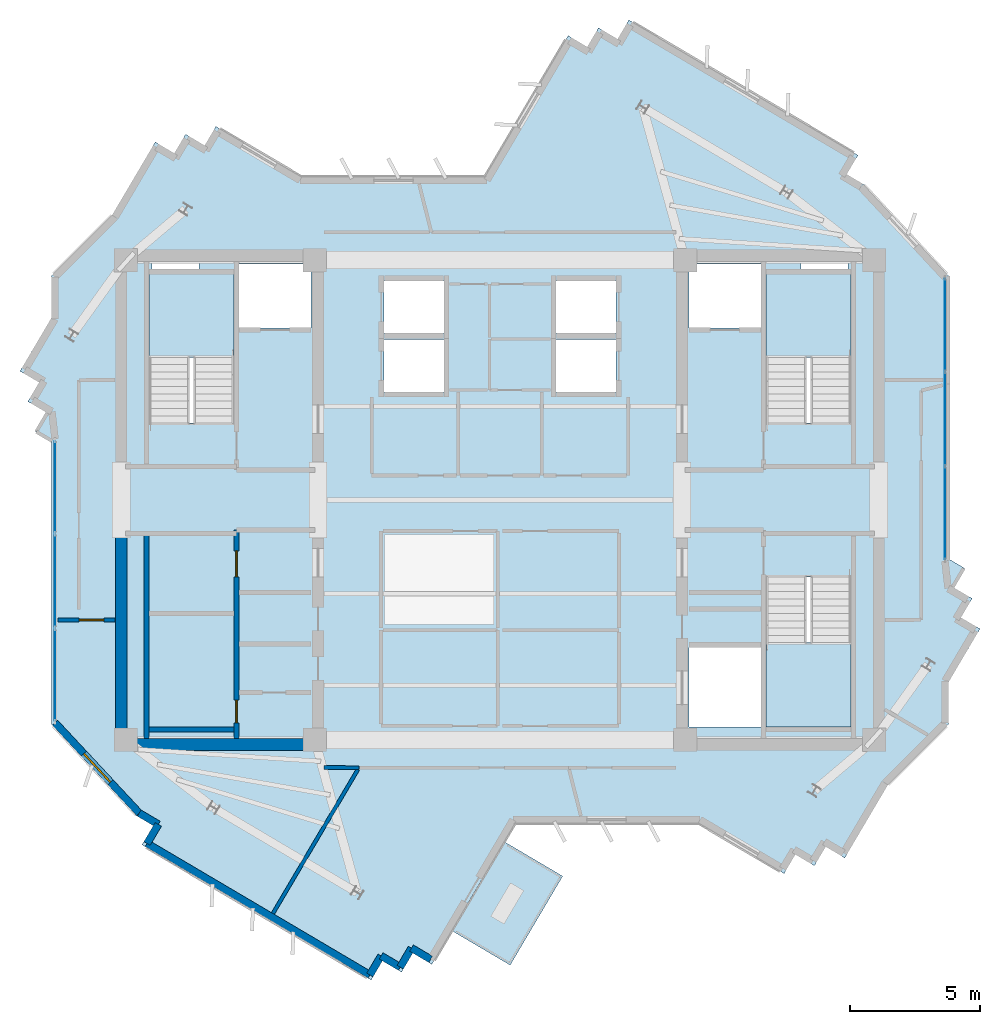
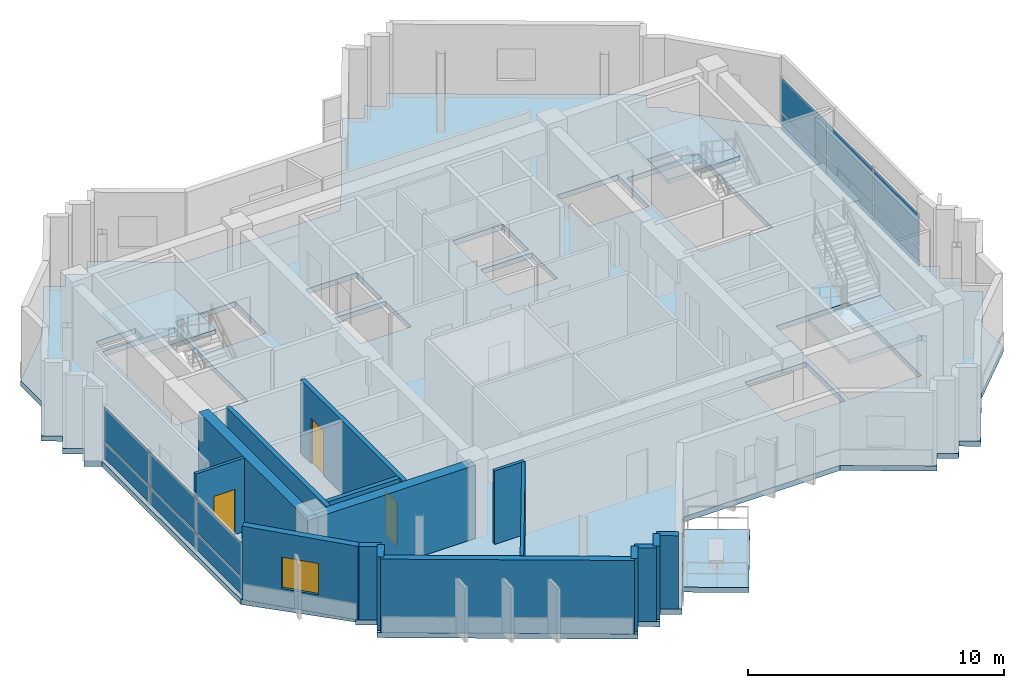
# One storey, part 3 of 10: 16 walls, 12 plates, 5 slabs, 3 doors, 1 window, 4 openings, 5 elements without a shape of their own.
"""IFC4 building model written with IfcOpenShell, lengths in metres."""

from ifc_helpers import new_model, si_unit, direction, frame, frame_2d, origin, origin_2d, place, context, subcontext, project, spatial, polyline, rectangle, outline, extrude, source, transform, mapped, material, layer, layer_set, type_object, element, fill, aggregate, save


model = new_model("IFC4")

# Units and contexts
model_context = context("Model", 3, precision=1e-05, world=origin(), true_north=direction((0.0, 1.0)))
body_context = subcontext(model_context, "Body", "Model", "MODEL_VIEW")
ifc_project = project(units=[si_unit("LENGTHUNIT", "METRE"), si_unit("AREAUNIT", "SQUARE_METRE"), si_unit("VOLUMEUNIT", "CUBIC_METRE"), si_unit("PLANEANGLEUNIT", "RADIAN"), si_unit("MASSUNIT", "GRAM", prefix="KILO")], contexts=[model_context])

# Site, building, storey
site_placement = place(None, origin())
site = spatial("IfcSite", under=ifc_project, at=site_placement, CompositionType="ELEMENT")
building_placement = place(site_placement, origin())
building = spatial("IfcBuilding", under=site, at=building_placement, Name="Zahravan Cultural Tower", CompositionType="ELEMENT")
storey_placement = place(building_placement, frame((0.0, 0.0, 342.300048828125)))
storey = spatial("IfcBuildingStorey", under=building, at=storey_placement, Name="L83", CompositionType="ELEMENT", Elevation=342.300048828125)

# Stair, slab
ifc_material_1 = material(Name="Concrete C45/55", Category="concrete")
stair_type = type_object("IfcStairType", Name="STR-DL-1550-375", PredefinedType="HALF_TURN_STAIR", material=ifc_material_1)
stair_1_placement = place(storey_placement, origin())
stair_1 = element("IfcStair", 1, at=stair_1_placement, inside=storey, type_object=stair_type, Name="L83 West Core North Exit Stair ST-W1", PredefinedType="HALF_TURN_STAIR")
ifc_layer_1 = layer(ifc_material_1, 0.199951171875)
ifc_layer_set_1 = layer_set([ifc_layer_1], Name="Concrete C45/55")
slab_type_1 = type_object("IfcSlabType", Name="SL-STAIR-LND200", PredefinedType="LANDING", material=ifc_layer_set_1)
slab_1_placement = place(storey_placement, frame((0.0, 0.0, 1.675048828125)))
slab_1 = element("IfcSlab", 2, at=slab_1_placement, type_object=slab_type_1, Name="ST-W1 landing 1", PredefinedType="LANDING", context=body_context, shape_type="SweptSolid", body=[
    extrude(outline(polyline([(25.800048828125, 32.469970703125), (25.800048828125, 35.699951171875), (22.550048828125, 35.699951171875), (22.550048828125, 32.469970703125), (25.800048828125, 32.469970703125)])), origin(), (0.0, 0.0, 1.0), 0.199951171875),
])
aggregate(stair_1, [slab_1])

stair_2_placement = place(storey_placement, origin())
stair_2 = element("IfcStair", 3, at=stair_2_placement, inside=storey, type_object=stair_type, Name="L83 East Core North Exit Stair ST-E1", PredefinedType="HALF_TURN_STAIR")
slab_2_placement = place(storey_placement, frame((0.0, 0.0, 1.675048828125)))
slab_2 = element("IfcSlab", 4, at=slab_2_placement, type_object=slab_type_1, Name="ST-E1 landing 1", PredefinedType="LANDING", context=body_context, shape_type="SweptSolid", body=[
    extrude(outline(polyline([(49.449951171875, 32.469970703125), (49.449951171875, 35.699951171875), (46.199951171875, 35.699951171875), (46.199951171875, 32.469970703125), (49.449951171875, 32.469970703125)])), origin(), (0.0, 0.0, 1.0), 0.199951171875),
])
aggregate(stair_2, [slab_2])

stair_3_placement = place(storey_placement, origin())
stair_3 = element("IfcStair", 5, at=stair_3_placement, inside=storey, type_object=stair_type, Name="L83 East Core South Exit Stair ST-E2", PredefinedType="HALF_TURN_STAIR")
slab_3_placement = place(storey_placement, frame((0.0, 0.0, 1.675048828125)))
slab_3 = element("IfcSlab", 6, at=slab_3_placement, type_object=slab_type_1, Name="ST-E2 landing 1", PredefinedType="LANDING", context=body_context, shape_type="SweptSolid", body=[
    extrude(outline(polyline([(46.199951171875, 21.530029296875), (46.199951171875, 18.300048828125), (49.449951171875, 18.300048828125), (49.449951171875, 21.530029296875), (46.199951171875, 21.530029296875)])), origin(), (0.0, 0.0, 1.0), 0.199951171875),
])
aggregate(stair_3, [slab_3])

# Slabs
ifc_material_2 = material(Name="Concrete C40/50", Category="concrete")
ifc_layer_2 = layer(ifc_material_2, 0.239990234375)
ifc_layer_set_2 = layer_set([ifc_layer_2], Name="Concrete C40/50")
slab_type_2 = type_object("IfcSlabType", Name="SL-TERR-240", PredefinedType="FLOOR", material=ifc_layer_set_2)
slab_4_placement = place(storey_placement, frame((0.0, 0.0, -0.239990234375)))
element("IfcSlab", 7, at=slab_4_placement, inside=storey, type_object=slab_type_2, Name="L83 Planted Sculpture Terrace SW", PredefinedType="FLOOR", context=body_context, shape_type="SweptSolid", body=[
    extrude(outline(polyline([(38.40234375, 12.576904296875), (36.16748046875, 13.895751953125), (34.15478515625, 10.4853515625), (36.389404296875, 9.16650390625), (38.40234375, 12.576904296875)])), origin(), (0.0, 0.0, 1.0), 0.239990234375),
])
ifc_layer_3 = layer(ifc_material_2, 0.25)
ifc_layer_set_3 = layer_set([ifc_layer_3], Name="Concrete C40/50")
slab_type_3 = type_object("IfcSlabType", Name="SL-TYP-250", PredefinedType="FLOOR", material=ifc_layer_set_3)
slab_5_placement = place(storey_placement, frame((0.0, 0.0, -0.25)))
element("IfcSlab", 8, at=slab_5_placement, inside=storey, type_object=slab_type_3, Name="L83 Structural Floor Slab", PredefinedType="FLOOR", context=body_context, shape_type="SweptSolid", body=[
    extrude(outline(polyline([(35.422607421875, 39.39990234375), (28.369140625, 39.39990234375), (25.10888671875, 41.32421875), (24.677001953125, 40.59228515625), (23.945068359375, 41.024169921875), (23.512939453125, 40.292236328125), (22.781005859375, 40.724365234375), (21.134033203125, 37.93408203125), (18.800048828125, 35.60009765625), (18.800048828125, 33.9794921875), (17.59619140625, 31.940185546875), (18.328369140625, 31.508056640625), (17.896240234375, 30.776123046875), (18.62841796875, 30.343994140625), (18.1962890625, 29.612060546875), (18.800048828125, 29.255615234375), (18.800048828125, 18.39990234375), (22.079345703125, 15.12060546875), (21.975830078125, 14.945068359375), (22.707763671875, 14.512939453125), (22.275634765625, 13.781005859375), (31.059814453125, 8.59619140625), (31.491943359375, 9.328369140625), (32.223876953125, 8.896240234375), (32.656005859375, 9.62841796875), (33.387939453125, 9.1962890625), (36.577392578125, 14.60009765625), (43.630859375, 14.60009765625), (46.89111328125, 12.67578125), (47.322998046875, 13.40771484375), (48.054931640625, 12.975830078125), (48.487060546875, 13.707763671875), (49.218994140625, 13.275634765625), (50.865966796875, 16.06591796875), (53.199951171875, 18.39990234375), (53.199951171875, 20.0205078125), (54.40380859375, 22.059814453125), (53.671630859375, 22.491943359375), (54.103759765625, 23.223876953125), (53.37158203125, 23.656005859375), (53.8037109375, 24.387939453125), (53.199951171875, 24.744384765625), (53.199951171875, 35.60009765625), (49.920654296875, 38.87939453125), (50.024169921875, 39.054931640625), (49.292236328125, 39.487060546875), (49.724365234375, 40.218994140625), (40.940185546875, 45.40380859375), (40.508056640625, 44.671630859375), (39.776123046875, 45.103759765625), (39.343994140625, 44.37158203125), (38.612060546875, 44.8037109375), (35.422607421875, 39.39990234375)]), holes=[polyline([(22.550048828125, 29.949951171875), (22.550048828125, 35.699951171875), (25.800048828125, 35.699951171875), (25.800048828125, 29.949951171875), (22.550048828125, 29.949951171875)]), polyline([(46.199951171875, 29.949951171875), (46.199951171875, 35.699951171875), (49.449951171875, 35.699951171875), (49.449951171875, 29.949951171875), (46.199951171875, 29.949951171875)]), polyline([(46.199951171875, 18.300048828125), (46.199951171875, 24.050048828125), (49.449951171875, 24.050048828125), (49.449951171875, 18.300048828125), (46.199951171875, 18.300048828125)]), polyline([(26.0, 33.60009765625), (26.0, 36.050048828125), (28.75, 36.050048828125), (28.75, 33.60009765625), (26.0, 33.60009765625)]), polyline([(43.25, 33.60009765625), (43.25, 36.050048828125), (46.0, 36.050048828125), (46.0, 33.60009765625), (43.25, 33.60009765625)]), polyline([(43.25, 18.300048828125), (43.25, 21.35009765625), (46.0, 21.35009765625), (46.0, 18.300048828125), (43.25, 18.300048828125)]), polyline([(31.550048828125, 33.39990234375), (31.550048828125, 35.39990234375), (33.85009765625, 35.39990234375), (33.85009765625, 33.39990234375), (31.550048828125, 33.39990234375)]), polyline([(31.550048828125, 31.14990234375), (31.550048828125, 33.14990234375), (33.85009765625, 33.14990234375), (33.85009765625, 31.14990234375), (31.550048828125, 31.14990234375)]), polyline([(38.14990234375, 33.39990234375), (38.14990234375, 35.39990234375), (40.449951171875, 35.39990234375), (40.449951171875, 33.39990234375), (38.14990234375, 33.39990234375)]), polyline([(38.14990234375, 31.14990234375), (38.14990234375, 33.14990234375), (40.449951171875, 33.14990234375), (40.449951171875, 31.14990234375), (38.14990234375, 31.14990234375)]), polyline([(22.64990234375, 35.800048828125), (22.64990234375, 36.419921875), (24.449951171875, 36.419921875), (24.449951171875, 35.800048828125), (22.64990234375, 35.800048828125)]), polyline([(47.550048828125, 35.800048828125), (47.550048828125, 36.419921875), (49.35009765625, 36.419921875), (49.35009765625, 35.800048828125), (47.550048828125, 35.800048828125)])]), origin(), (0.0, 0.0, 1.0), 0.25),
])

# Curtain wall, plates
ifc_material_3 = material(Name="Anodised bronze-aluminium mullion", Category="aluminium")
ifc_layer_4 = layer(ifc_material_3, 0.1650390625)
ifc_layer_set_4 = layer_set([ifc_layer_4], Name="Anodised bronze-aluminium mullion")
curtain_wall_type_1 = type_object("IfcCurtainWallType", Name="CW-SYS-4", PredefinedType="USERDEFINED", material=ifc_layer_set_4)
curtain_wall_1_placement = place(storey_placement, origin())
curtain_wall_1 = element("IfcCurtainWall", 9, at=curtain_wall_1_placement, inside=storey, type_object=curtain_wall_type_1, Name="L83 Recessed Curtain Wall CW-4.1", ObjectType="RECESSED GLAZING", PredefinedType="USERDEFINED")
ifc_material_4 = material(Name="Low-E solar-control double glazing", Category="glass")
ifc_layer_5 = layer(ifc_material_4, 0.02587890625)
ifc_layer_set_5 = layer_set([ifc_layer_5], Name="Low-E solar-control double glazing")
plate_type_1 = type_object("IfcPlateType", Name="CWP-CW-4", PredefinedType="CURTAIN_PANEL", material=ifc_layer_set_5)
shared_shape_1 = source(origin(), body_context, "Body", "SweptSolid", [
    extrude(rectangle(XDim=3.5283203125, YDim=0.02587890625, at=origin_2d()), origin(), (0.0, 0.0, 1.0), 0.802490234375),
])
plate_1_placement = place(storey_placement, frame((53.06005859375, 33.712890625, 0.06494140625), z_axis=(0.0, 0.0, 1.0), x_axis=(0.0, -1.0, 0.0)))
plate_1 = element("IfcPlate", 10, at=plate_1_placement, type_object=plate_type_1, Name="CW-4 panel 1.1", PredefinedType="CURTAIN_PANEL", context=body_context, shape_type="MappedRepresentation", body=[
    mapped(shared_shape_1, transform((0.0, 0.0, 0.0), x_axis=(1.0, 0.0, 0.0), y_axis=(0.0, 1.0, 0.0), z_axis=(0.0, 0.0, 1.0), scale=1.0)),
])
plate_2_placement = place(storey_placement, frame((53.06005859375, 26.49365234375, 0.06494140625), z_axis=(0.0, 0.0, 1.0), x_axis=(0.0, -1.0, 0.0)))
plate_2 = element("IfcPlate", 11, at=plate_2_placement, type_object=plate_type_1, Name="CW-4 panel 3.1", PredefinedType="CURTAIN_PANEL", context=body_context, shape_type="MappedRepresentation", body=[
    mapped(shared_shape_1, transform((0.0, 0.0, 0.0), x_axis=(1.0, 0.0, 0.0), y_axis=(0.0, 1.0, 0.0), z_axis=(0.0, 0.0, 1.0), scale=1.0)),
])
shared_shape_2 = source(origin(), body_context, "Body", "SweptSolid", [
    extrude(rectangle(XDim=3.5283203125, YDim=0.02587890625, at=origin_2d()), origin(), (0.0, 0.0, 1.0), 1.62255859375),
])
plate_3_placement = place(storey_placement, frame((53.06005859375, 33.712890625, 0.932373046875), z_axis=(0.0, 0.0, 1.0), x_axis=(0.0, -1.0, 0.0)))
plate_3 = element("IfcPlate", 12, at=plate_3_placement, type_object=plate_type_1, Name="CW-4 panel 1.2", PredefinedType="CURTAIN_PANEL", context=body_context, shape_type="MappedRepresentation", body=[
    mapped(shared_shape_2, transform((0.0, 0.0, 0.0), x_axis=(1.0, 0.0, 0.0), y_axis=(0.0, 1.0, 0.0), z_axis=(0.0, 0.0, 1.0), scale=1.0)),
])
plate_4_placement = place(storey_placement, frame((53.06005859375, 26.49365234375, 0.932373046875), z_axis=(0.0, 0.0, 1.0), x_axis=(0.0, -1.0, 0.0)))
plate_4 = element("IfcPlate", 13, at=plate_4_placement, type_object=plate_type_1, Name="CW-4 panel 3.2", PredefinedType="CURTAIN_PANEL", context=body_context, shape_type="MappedRepresentation", body=[
    mapped(shared_shape_2, transform((0.0, 0.0, 0.0), x_axis=(1.0, 0.0, 0.0), y_axis=(0.0, 1.0, 0.0), z_axis=(0.0, 0.0, 1.0), scale=1.0)),
])
shared_shape_3 = source(origin(), body_context, "Body", "SweptSolid", [
    extrude(rectangle(XDim=3.560791015625, YDim=0.02587890625, at=origin_2d()), origin(), (0.0, 0.0, 1.0), 0.802490234375),
])
plate_5_placement = place(storey_placement, frame((53.06005859375, 30.103271484375, 0.06494140625), z_axis=(0.0, 0.0, 1.0), x_axis=(0.0, -1.0, 0.0)))
plate_5 = element("IfcPlate", 14, at=plate_5_placement, type_object=plate_type_1, Name="CW-4 panel 2.1", PredefinedType="CURTAIN_PANEL", context=body_context, shape_type="MappedRepresentation", body=[
    mapped(shared_shape_3, transform((0.0, 0.0, 0.0), x_axis=(1.0, 0.0, 0.0), y_axis=(0.0, 1.0, 0.0), z_axis=(0.0, 0.0, 1.0), scale=1.0)),
])
shared_shape_4 = source(origin(), body_context, "Body", "SweptSolid", [
    extrude(rectangle(XDim=3.560791015625, YDim=0.02587890625, at=origin_2d()), origin(), (0.0, 0.0, 1.0), 1.62255859375),
])
plate_6_placement = place(storey_placement, frame((53.06005859375, 30.103271484375, 0.932373046875), z_axis=(0.0, 0.0, 1.0), x_axis=(0.0, -1.0, 0.0)))
plate_6 = element("IfcPlate", 15, at=plate_6_placement, type_object=plate_type_1, Name="CW-4 panel 2.2", PredefinedType="CURTAIN_PANEL", context=body_context, shape_type="MappedRepresentation", body=[
    mapped(shared_shape_4, transform((0.0, 0.0, 0.0), x_axis=(1.0, 0.0, 0.0), y_axis=(0.0, 1.0, 0.0), z_axis=(0.0, 0.0, 1.0), scale=1.0)),
])
aggregate(curtain_wall_1, [plate_1, plate_3, plate_5, plate_6, plate_2, plate_4])

ifc_layer_6 = layer(ifc_material_3, 0.219970703125)
ifc_layer_set_6 = layer_set([ifc_layer_6], Name="Anodised bronze-aluminium mullion")
curtain_wall_type_2 = type_object("IfcCurtainWallType", Name="CW-SYS-1", PredefinedType="USERDEFINED", material=ifc_layer_set_6)
curtain_wall_2_placement = place(storey_placement, origin())
curtain_wall_2 = element("IfcCurtainWall", 16, at=curtain_wall_2_placement, inside=storey, type_object=curtain_wall_type_2, Name="L83 Recessed Curtain Wall CW-1.2", ObjectType="RECESSED GLAZING", PredefinedType="USERDEFINED")
ifc_layer_7 = layer(ifc_material_4, 0.031982421875)
ifc_layer_set_7 = layer_set([ifc_layer_7], Name="Low-E solar-control double glazing")
plate_type_2 = type_object("IfcPlateType", Name="CWP-CW-1", PredefinedType="CURTAIN_PANEL", material=ifc_layer_set_7)
shared_shape_5 = source(origin(), body_context, "Body", "SweptSolid", [
    extrude(rectangle(XDim=3.505859375, YDim=0.031982421875, at=origin_2d()), origin(), (0.0, 0.0, 1.0), 0.780029296875),
])
plate_7_placement = place(storey_placement, frame((18.93994140625, 20.291015625, 0.080078125), z_axis=(0.0, 0.0, 1.0), x_axis=(0.0, 1.0, 0.0)))
plate_7 = element("IfcPlate", 17, at=plate_7_placement, type_object=plate_type_2, Name="CW-1 panel 1.1", PredefinedType="CURTAIN_PANEL", context=body_context, shape_type="MappedRepresentation", body=[
    mapped(shared_shape_5, transform((0.0, 0.0, 0.0), x_axis=(1.0, 0.0, 0.0), y_axis=(0.0, 1.0, 0.0), z_axis=(0.0, 0.0, 1.0), scale=1.0)),
])
plate_8_placement = place(storey_placement, frame((18.93994140625, 27.502685546875, 0.080078125), z_axis=(0.0, 0.0, 1.0), x_axis=(0.0, 1.0, 0.0)))
plate_8 = element("IfcPlate", 18, at=plate_8_placement, type_object=plate_type_2, Name="CW-1 panel 3.1", PredefinedType="CURTAIN_PANEL", context=body_context, shape_type="MappedRepresentation", body=[
    mapped(shared_shape_5, transform((0.0, 0.0, 0.0), x_axis=(1.0, 0.0, 0.0), y_axis=(0.0, 1.0, 0.0), z_axis=(0.0, 0.0, 1.0), scale=1.0)),
])
shared_shape_6 = source(origin(), body_context, "Body", "SweptSolid", [
    extrude(rectangle(XDim=3.505859375, YDim=0.031982421875, at=origin_2d()), origin(), (0.0, 0.0, 1.0), 1.60009765625),
])
plate_9_placement = place(storey_placement, frame((18.93994140625, 20.291015625, 0.93994140625), z_axis=(0.0, 0.0, 1.0), x_axis=(0.0, 1.0, 0.0)))
plate_9 = element("IfcPlate", 19, at=plate_9_placement, type_object=plate_type_2, Name="CW-1 panel 1.2", PredefinedType="CURTAIN_PANEL", context=body_context, shape_type="MappedRepresentation", body=[
    mapped(shared_shape_6, transform((0.0, 0.0, 0.0), x_axis=(1.0, 0.0, 0.0), y_axis=(0.0, 1.0, 0.0), z_axis=(0.0, 0.0, 1.0), scale=1.0)),
])
plate_10_placement = place(storey_placement, frame((18.93994140625, 27.502685546875, 0.93994140625), z_axis=(0.0, 0.0, 1.0), x_axis=(0.0, 1.0, 0.0)))
plate_10 = element("IfcPlate", 20, at=plate_10_placement, type_object=plate_type_2, Name="CW-1 panel 3.2", PredefinedType="CURTAIN_PANEL", context=body_context, shape_type="MappedRepresentation", body=[
    mapped(shared_shape_6, transform((0.0, 0.0, 0.0), x_axis=(1.0, 0.0, 0.0), y_axis=(0.0, 1.0, 0.0), z_axis=(0.0, 0.0, 1.0), scale=1.0)),
])
shared_shape_7 = source(origin(), body_context, "Body", "SweptSolid", [
    extrude(rectangle(XDim=3.5458984375, YDim=0.031982421875, at=origin_2d()), origin(), (0.0, 0.0, 1.0), 0.780029296875),
])
plate_11_placement = place(storey_placement, frame((18.93994140625, 23.896728515625, 0.080078125), z_axis=(0.0, 0.0, 1.0), x_axis=(0.0, 1.0, 0.0)))
plate_11 = element("IfcPlate", 21, at=plate_11_placement, type_object=plate_type_2, Name="CW-1 panel 2.1", PredefinedType="CURTAIN_PANEL", context=body_context, shape_type="MappedRepresentation", body=[
    mapped(shared_shape_7, transform((0.0, 0.0, 0.0), x_axis=(1.0, 0.0, 0.0), y_axis=(0.0, 1.0, 0.0), z_axis=(0.0, 0.0, 1.0), scale=1.0)),
])
shared_shape_8 = source(origin(), body_context, "Body", "SweptSolid", [
    extrude(rectangle(XDim=3.5458984375, YDim=0.031982421875, at=origin_2d()), origin(), (0.0, 0.0, 1.0), 1.60009765625),
])
plate_12_placement = place(storey_placement, frame((18.93994140625, 23.896728515625, 0.93994140625), z_axis=(0.0, 0.0, 1.0), x_axis=(0.0, 1.0, 0.0)))
plate_12 = element("IfcPlate", 22, at=plate_12_placement, type_object=plate_type_2, Name="CW-1 panel 2.2", PredefinedType="CURTAIN_PANEL", context=body_context, shape_type="MappedRepresentation", body=[
    mapped(shared_shape_8, transform((0.0, 0.0, 0.0), x_axis=(1.0, 0.0, 0.0), y_axis=(0.0, 1.0, 0.0), z_axis=(0.0, 0.0, 1.0), scale=1.0)),
])
aggregate(curtain_wall_2, [plate_7, plate_9, plate_11, plate_12, plate_8, plate_10])

# Wall, opening, window
ifc_material_5 = material(Name="Precast concrete C40/50", Category="concrete")
ifc_layer_8 = layer(ifc_material_5, 0.280029296875)
ifc_layer_set_8 = layer_set([ifc_layer_8], Name="Precast concrete C40/50")
wall_type_1 = type_object("IfcWallType", Name="EW-TC-280", PredefinedType="SOLIDWALL", material=ifc_layer_set_8)
wall_1_placement = place(storey_placement, frame((22.16748046875, 14.994384765625, 0.0), z_axis=(0.0, 0.0, 1.0), x_axis=(-0.681733754317, 0.731600361006, 0.0)))
wall_1 = element("IfcWall", 23, at=wall_1_placement, inside=storey, type_object=wall_type_1, Name="L83 Exterior Masonry Frame Wall 32", PredefinedType="SOLIDWALL", context=body_context, shape_type="SweptSolid", body=[
    extrude(rectangle(XDim=4.734375, YDim=0.280029296875, at=frame_2d((2.3671875, 0.0))), origin(), (0.0, 0.0, 1.0), 3.5),
])
opening_1_placement = place(wall_1_placement, frame((1.616943359375, 0.0, 0.85009765625)))
opening_1 = element("IfcOpeningElement", 24, at=opening_1_placement, cuts=wall_1, Name="Opening WN-03", PredefinedType="OPENING", context=body_context, shape_type="SweptSolid", body=[
    extrude(rectangle(XDim=1.5, YDim=1.5, at=frame_2d((0.75, 0.75))), frame((0.0, 0.14990234375, 0.0), z_axis=(0.0, -1.0, 0.0), x_axis=(1.0, 0.0, 0.0)), (0.0, 0.0, 1.0), 0.300048828125),
])
window_type = type_object("IfcWindowType", Name="WN-REC-1500X1500", PartitioningType="SINGLE_PANEL", PredefinedType="WINDOW", material=ifc_material_4)
shared_shape_9 = source(origin(), body_context, "Body", "SweptSolid", [
    extrude(rectangle(XDim=1.5, YDim=1.5, at=frame_2d((0.75, 0.75))), frame((0.0, 0.030029296875, 0.0), z_axis=(0.0, -1.0, 0.0), x_axis=(1.0, 0.0, 0.0)), (0.0, 0.0, 1.0), 0.06005859375),
])
window_placement = place(opening_1_placement, origin())
window = element("IfcWindow", 25, at=window_placement, inside=storey, type_object=window_type, Name="L83 Recessed Solar Window 06", OverallHeight=1.5, OverallWidth=1.5, PartitioningType="SINGLE_PANEL", PredefinedType="WINDOW", context=body_context, shape_type="MappedRepresentation", body=[
    mapped(shared_shape_9, transform((0.0, 0.0, 0.0), x_axis=(1.0, 0.0, 0.0), y_axis=(0.0, 1.0, 0.0), z_axis=(0.0, 0.0, 1.0), scale=1.0)),
])
fill(opening_1, window)

# Wall, opening, door
ifc_material_6 = material(Name="Gypsum plasterboard partition")
ifc_layer_9 = layer(ifc_material_6, 0.139892578125)
ifc_layer_set_9 = layer_set([ifc_layer_9], Name="Gypsum plasterboard partition")
wall_type_2 = type_object("IfcWallType", Name="W-PART-140", PredefinedType="PARTITIONING", material=ifc_layer_set_9)
wall_2_placement = place(storey_placement, frame((19.050048828125, 22.401611328125, 0.0), z_axis=(0.0, 0.0, 1.0), x_axis=(0.999999696925, -0.000778556098, 0.0)))
wall_2 = element("IfcWall", 26, at=wall_2_placement, inside=storey, type_object=wall_type_2, Name="L83 Interior Wall 078", PredefinedType="PARTITIONING", context=body_context, shape_type="SweptSolid", body=[
    extrude(rectangle(XDim=2.195068359375, YDim=0.139892578125, at=frame_2d((1.09765625, 0.0))), origin(), (0.0, 0.0, 1.0), 3.5),
])
opening_2_placement = place(wall_2_placement, frame((0.809326171875, 0.0, 0.0)))
opening_2 = element("IfcOpeningElement", 27, at=opening_2_placement, cuts=wall_2, Name="Opening D-L83-25", PredefinedType="OPENING", context=body_context, shape_type="SweptSolid", body=[
    extrude(rectangle(XDim=0.949951171875, YDim=2.14990234375, at=frame_2d((0.47509765625, 1.074951171875))), frame((0.0, 0.079833984375, 0.0), z_axis=(0.0, -1.0, 0.0), x_axis=(1.0, 0.0, 0.0)), (0.0, 0.0, 1.0), 0.159912109375),
])
door_type_1 = type_object("IfcDoorType", Name="DR-ROOM-950", OperationType="NOTDEFINED", PredefinedType="DOOR", material=ifc_material_3)
shared_shape_10 = source(origin(), body_context, "Body", "SweptSolid", [
    extrude(rectangle(XDim=0.949951171875, YDim=2.14990234375, at=frame_2d((0.47509765625, 1.074951171875))), frame((0.0, 0.02490234375, 0.0), z_axis=(0.0, -1.0, 0.0), x_axis=(1.0, 0.0, 0.0)), (0.0, 0.0, 1.0), 0.050048828125),
])
door_1_placement = place(opening_2_placement, origin())
door_1 = element("IfcDoor", 28, at=door_1_placement, inside=storey, type_object=door_type_1, Name="L83 Door D-L83-25", OperationType="SINGLE_SWING_RIGHT", OverallHeight=2.14990234375, OverallWidth=0.949951171875, PredefinedType="DOOR", context=body_context, shape_type="MappedRepresentation", body=[
    mapped(shared_shape_10, transform((0.0, 0.0, 0.0), x_axis=(1.0, 0.0, 0.0), y_axis=(0.0, 1.0, 0.0), z_axis=(0.0, 0.0, 1.0), scale=1.0)),
])
fill(opening_2, door_1)

# Wall, openings, doors
ifc_layer_10 = layer(ifc_material_1, 0.199951171875)
ifc_layer_set_10 = layer_set([ifc_layer_10], Name="Concrete C45/55")
wall_type_3 = type_object("IfcWallType", Name="W-SHAFT-200", PredefinedType="SOLIDWALL", material=ifc_layer_set_10)
wall_3_placement = place(storey_placement, frame((25.89990234375, 17.85009765625, 0.0), z_axis=(0.0, 0.0, 1.0), x_axis=(0.0, 1.0, 0.0)))
wall_3 = element("IfcWall", 29, at=wall_3_placement, inside=storey, type_object=wall_type_3, Name="L83 Interior Wall 005", PredefinedType="SOLIDWALL", context=body_context, shape_type="SweptSolid", body=[
    extrude(rectangle(XDim=8.0, YDim=0.199951171875, at=frame_2d((4.0, 0.0))), origin(), (0.0, 0.0, 1.0), 3.5),
])
opening_3_placement = place(wall_3_placement, frame((6.199951171875, 0.0, 0.0)))
opening_3 = element("IfcOpeningElement", 30, at=opening_3_placement, cuts=wall_3, Name="Opening D-L83-04", PredefinedType="OPENING", context=body_context, shape_type="SweptSolid", body=[
    extrude(rectangle(XDim=1.0, YDim=2.14990234375, at=frame_2d((0.5, 1.074951171875))), frame((0.0, 0.10986328125, 0.0), z_axis=(0.0, -1.0, 0.0), x_axis=(1.0, 0.0, 0.0)), (0.0, 0.0, 1.0), 0.219970703125),
])
opening_4_placement = place(wall_3_placement, frame((0.60009765625, 0.0, 0.0)))
opening_4 = element("IfcOpeningElement", 31, at=opening_4_placement, cuts=wall_3, Name="Opening D-L83-05", PredefinedType="OPENING", context=body_context, shape_type="SweptSolid", body=[
    extrude(rectangle(XDim=0.8798828125, YDim=2.10009765625, at=frame_2d((0.43994140625, 1.050048828125))), frame((0.0, 0.10986328125, 0.0), z_axis=(0.0, -1.0, 0.0), x_axis=(1.0, 0.0, 0.0)), (0.0, 0.0, 1.0), 0.219970703125),
])
ifc_material_7 = material(Name="Steel ASTM A572 Grade 50", Category="steel")
door_type_2 = type_object("IfcDoorType", Name="DR-SVC-880", OperationType="NOTDEFINED", PredefinedType="DOOR", material=ifc_material_7)
shared_shape_11 = source(origin(), body_context, "Body", "SweptSolid", [
    extrude(rectangle(XDim=0.8798828125, YDim=2.10009765625, at=frame_2d((0.43994140625, 1.050048828125))), frame((0.0, 0.02490234375, 0.0), z_axis=(0.0, -1.0, 0.0), x_axis=(1.0, 0.0, 0.0)), (0.0, 0.0, 1.0), 0.050048828125),
])
door_2_placement = place(opening_4_placement, origin())
door_2 = element("IfcDoor", 32, at=door_2_placement, inside=storey, type_object=door_type_2, Name="L83 Door D-L83-05", OperationType="SINGLE_SWING_RIGHT", OverallHeight=2.10009765625, OverallWidth=0.8798828125, PredefinedType="DOOR", context=body_context, shape_type="MappedRepresentation", body=[
    mapped(shared_shape_11, transform((0.0, 0.0, 0.0), x_axis=(1.0, 0.0, 0.0), y_axis=(0.0, 1.0, 0.0), z_axis=(0.0, 0.0, 1.0), scale=1.0)),
])
fill(opening_4, door_2)
door_type_3 = type_object("IfcDoorType", Name="DR-COMP-1000", OperationType="NOTDEFINED", PredefinedType="DOOR", material=ifc_material_7)
shared_shape_12 = source(origin(), body_context, "Body", "SweptSolid", [
    extrude(rectangle(XDim=1.0, YDim=2.14990234375, at=frame_2d((0.5, 1.074951171875))), frame((0.0, 0.02490234375, 0.0), z_axis=(0.0, -1.0, 0.0), x_axis=(1.0, 0.0, 0.0)), (0.0, 0.0, 1.0), 0.050048828125),
])
door_3_placement = place(opening_3_placement, origin())
door_3 = element("IfcDoor", 33, at=door_3_placement, inside=storey, type_object=door_type_3, Name="L83 Door D-L83-04", OperationType="SINGLE_SWING_LEFT", OverallHeight=2.14990234375, OverallWidth=1.0, PredefinedType="DOOR", context=body_context, shape_type="MappedRepresentation", body=[
    mapped(shared_shape_12, transform((0.0, 0.0, 0.0), x_axis=(1.0, 0.0, 0.0), y_axis=(0.0, 1.0, 0.0), z_axis=(0.0, 0.0, 1.0), scale=1.0)),
])
fill(opening_3, door_3)

# Walls
ifc_material_8 = material(Name="Concrete C50/60", Category="concrete")
ifc_layer_11 = layer(ifc_material_8, 0.449951171875)
ifc_layer_set_11 = layer_set([ifc_layer_11], Name="Concrete C50/60")
wall_type_4 = type_object("IfcWallType", Name="CW-SHEAR-450-C50", PredefinedType="SHEAR", material=ifc_layer_set_11)
shared_shape_13 = source(origin(), body_context, "Body", "SweptSolid", [
    extrude(rectangle(XDim=8.550048828125, YDim=0.449951171875, at=frame_2d((4.27490234375, 0.0))), origin(), (0.0, 0.0, 1.0), 3.5),
])
wall_4_placement = place(storey_placement, frame((21.47509765625, 17.39990234375, 0.0), z_axis=(0.0, 0.0, 1.0), x_axis=(0.0, 1.0, 0.0)))
element("IfcWall", 34, at=wall_4_placement, inside=storey, type_object=wall_type_4, Name="L83 Core Shear Wall CW-W-WS-L83", PredefinedType="SHEAR", context=body_context, shape_type="MappedRepresentation", body=[
    mapped(shared_shape_13, transform((0.0, 0.0, 0.0), x_axis=(1.0, 0.0, 0.0), y_axis=(0.0, 1.0, 0.0), z_axis=(0.0, 0.0, 1.0), scale=1.0)),
])
shared_shape_14 = source(origin(), body_context, "Body", "SweptSolid", [
    extrude(rectangle(XDim=7.10009765625, YDim=0.449951171875, at=frame_2d((3.550048828125, 0.0))), origin(), (0.0, 0.0, 1.0), 3.5),
])
wall_5_placement = place(storey_placement, frame((21.699951171875, 17.625, 0.0), z_axis=(0.0, 0.0, 1.0), x_axis=(1.0, 0.0, 0.0)))
element("IfcWall", 35, at=wall_5_placement, inside=storey, type_object=wall_type_4, Name="L83 Core Shear Wall CW-W-S-L83", PredefinedType="SHEAR", context=body_context, shape_type="MappedRepresentation", body=[
    mapped(shared_shape_14, transform((0.0, 0.0, 0.0), x_axis=(1.0, 0.0, 0.0), y_axis=(0.0, 1.0, 0.0), z_axis=(0.0, 0.0, 1.0), scale=1.0)),
])
shared_shape_15 = source(origin(), body_context, "Body", "SweptSolid", [
    extrude(rectangle(XDim=0.85009765625, YDim=0.280029296875, at=frame_2d((0.425048828125, 0.0))), origin(), (0.0, 0.0, 1.0), 3.5),
])
for number, where, z_axis, x_axis, name in (
    (36, (33.338623046875, 9.387939453125, 0.0), (0.0, 0.0, 1.0), (-0.861195099131, 0.508274533332, 0.0), "L83 Exterior Masonry Frame Wall 25"),
    (37, (32.6064453125, 9.820068359375, 0.0), (0.0, 0.0, 1.0), (-0.508061511919, -0.861320788154, 0.0), "L83 Exterior Masonry Frame Wall 26"),
    (38, (32.174560546875, 9.087890625, 0.0), (0.0, 0.0, 1.0), (-0.861195099131, 0.508274533332, 0.0), "L83 Exterior Masonry Frame Wall 27"),
    (39, (22.46728515625, 13.830322265625, 0.0), (0.0, 0.0, 1.0), (0.508400256027, 0.861120885632, 0.0), "L83 Exterior Masonry Frame Wall 30"),
    (40, (22.8994140625, 14.562255859375, 0.0), (0.0, 0.0, 1.0), (-0.861120885632, 0.508400256027, 0.0), "L83 Exterior Masonry Frame Wall 31"),
):
    element("IfcWall", number, at=place(storey_placement, frame(where, z_axis=z_axis, x_axis=x_axis)), inside=storey, type_object=wall_type_1, Name=name, PredefinedType="SOLIDWALL", context=body_context, shape_type="MappedRepresentation", body=[
        mapped(shared_shape_15, transform((0.0, 0.0, 0.0), x_axis=(1.0, 0.0, 0.0), y_axis=(0.0, 1.0, 0.0), z_axis=(0.0, 0.0, 1.0), scale=1.0)),
    ])
shared_shape_16 = source(origin(), body_context, "Body", "SweptSolid", [
    extrude(rectangle(XDim=0.849853515625, YDim=0.280029296875, at=frame_2d((0.4248046875, 0.0))), origin(), (0.0, 0.0, 1.0), 3.5),
])
wall_6_placement = place(storey_placement, frame((31.4423828125, 9.52001953125, 0.0), z_axis=(0.0, 0.0, 1.0), x_axis=(-0.508187218622, -0.861246626019, 0.0)))
element("IfcWall", 41, at=wall_6_placement, inside=storey, type_object=wall_type_1, Name="L83 Exterior Masonry Frame Wall 28", PredefinedType="SOLIDWALL", context=body_context, shape_type="MappedRepresentation", body=[
    mapped(shared_shape_16, transform((0.0, 0.0, 0.0), x_axis=(1.0, 0.0, 0.0), y_axis=(0.0, 1.0, 0.0), z_axis=(0.0, 0.0, 1.0), scale=1.0)),
])
shared_shape_17 = source(origin(), body_context, "Body", "SweptSolid", [
    extrude(rectangle(XDim=9.920166015625, YDim=0.280029296875, at=frame_2d((4.9599609375, 0.0))), origin(), (0.0, 0.0, 1.0), 3.5),
])
wall_7_placement = place(storey_placement, frame((31.010498046875, 8.7880859375, 0.0), z_axis=(0.0, 0.0, 1.0), x_axis=(-0.861192451778, 0.508279018848, 0.0)))
element("IfcWall", 42, at=wall_7_placement, inside=storey, type_object=wall_type_1, Name="L83 Exterior Masonry Frame Wall 29", PredefinedType="SOLIDWALL", context=body_context, shape_type="MappedRepresentation", body=[
    mapped(shared_shape_17, transform((0.0, 0.0, 0.0), x_axis=(1.0, 0.0, 0.0), y_axis=(0.0, 1.0, 0.0), z_axis=(0.0, 0.0, 1.0), scale=1.0)),
])
shared_shape_18 = source(origin(), body_context, "Body", "SweptSolid", [
    extrude(rectangle(XDim=7.869873046875, YDim=0.199951171875, at=frame_2d((3.93505859375, 0.0))), origin(), (0.0, 0.0, 1.0), 3.5),
])
wall_8_placement = place(storey_placement, frame((22.449951171875, 17.85009765625, 0.0), z_axis=(0.0, 0.0, 1.0), x_axis=(0.0, 1.0, 0.0)))
element("IfcWall", 43, at=wall_8_placement, inside=storey, type_object=wall_type_3, Name="L83 Interior Wall 001", PredefinedType="SOLIDWALL", context=body_context, shape_type="MappedRepresentation", body=[
    mapped(shared_shape_18, transform((0.0, 0.0, 0.0), x_axis=(1.0, 0.0, 0.0), y_axis=(0.0, 1.0, 0.0), z_axis=(0.0, 0.0, 1.0), scale=1.0)),
])
shared_shape_19 = source(origin(), body_context, "Body", "SweptSolid", [
    extrude(rectangle(XDim=3.25, YDim=0.199951171875, at=frame_2d((1.625, 0.0))), origin(), (0.0, 0.0, 1.0), 3.5),
])
wall_9_placement = place(storey_placement, frame((22.550048828125, 18.199951171875, 0.0), z_axis=(0.0, 0.0, 1.0), x_axis=(1.0, 0.0, 0.0)))
element("IfcWall", 44, at=wall_9_placement, inside=storey, type_object=wall_type_3, Name="L83 Interior Wall 019", PredefinedType="SOLIDWALL", context=body_context, shape_type="MappedRepresentation", body=[
    mapped(shared_shape_19, transform((0.0, 0.0, 0.0), x_axis=(1.0, 0.0, 0.0), y_axis=(0.0, 1.0, 0.0), z_axis=(0.0, 0.0, 1.0), scale=1.0)),
])
shared_shape_20 = source(origin(), body_context, "Body", "SweptSolid", [
    extrude(rectangle(XDim=1.3427734375, YDim=0.139892578125, at=frame_2d((0.67138671875, 0.0))), origin(), (0.0, 0.0, 1.0), 3.5),
])
wall_10_placement = place(storey_placement, frame((29.251708984375, 16.74267578125, 0.0), z_axis=(0.0, 0.0, 1.0), x_axis=(0.999997619843, -0.002181812989, 0.0)))
element("IfcWall", 45, at=wall_10_placement, inside=storey, type_object=wall_type_2, Name="L83 Interior Wall 079", PredefinedType="PARTITIONING", context=body_context, shape_type="MappedRepresentation", body=[
    mapped(shared_shape_20, transform((0.0, 0.0, 0.0), x_axis=(1.0, 0.0, 0.0), y_axis=(0.0, 1.0, 0.0), z_axis=(0.0, 0.0, 1.0), scale=1.0)),
])
shared_shape_21 = source(origin(), body_context, "Body", "SweptSolid", [
    extrude(rectangle(XDim=6.404541015625, YDim=0.139892578125, at=frame_2d((3.2021484375, 0.0))), origin(), (0.0, 0.0, 1.0), 3.5),
])
wall_11_placement = place(storey_placement, frame((30.55029296875, 16.664794921875, 0.0), z_axis=(0.0, 0.0, 1.0), x_axis=(-0.508299006291, -0.861180654801, 0.0)))
element("IfcWall", 46, at=wall_11_placement, inside=storey, type_object=wall_type_2, Name="L83 Interior Wall 080", PredefinedType="PARTITIONING", context=body_context, shape_type="MappedRepresentation", body=[
    mapped(shared_shape_21, transform((0.0, 0.0, 0.0), x_axis=(1.0, 0.0, 0.0), y_axis=(0.0, 1.0, 0.0), z_axis=(0.0, 0.0, 1.0), scale=1.0)),
])

save(model, "model.ifc")
